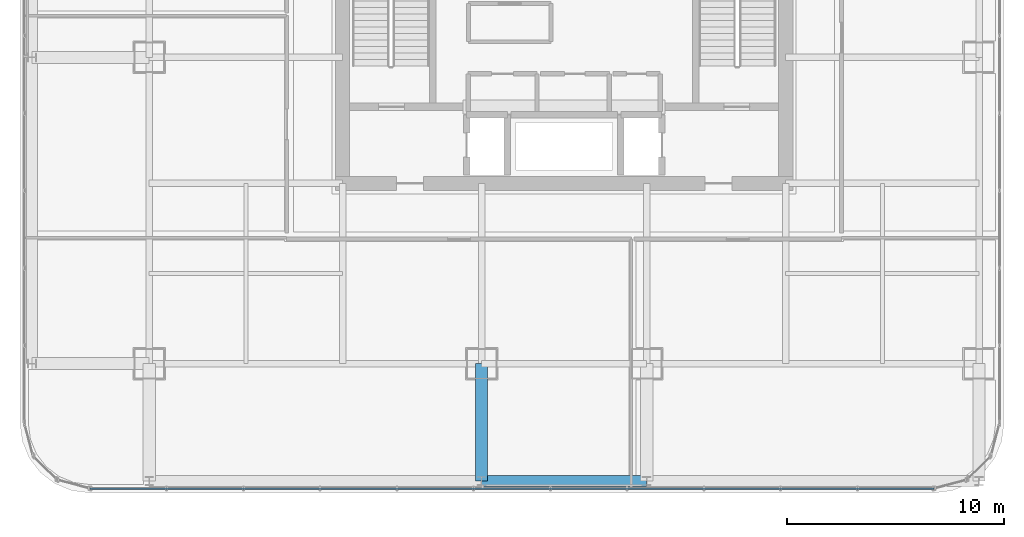
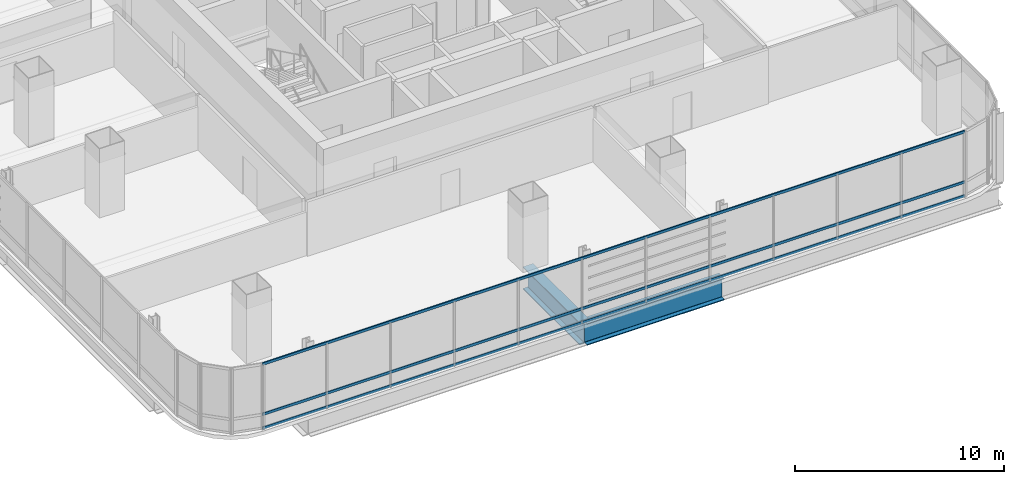
# One storey, part 7 of 36: 3 members, 2 beams, 1 element without a shape of its own.
"""IFC4 building model written with IfcOpenShell, lengths in metres."""

from ifc_helpers import new_model, si_unit, direction, frame, origin, origin_2d, place, context, subcontext, project, spatial, hollow_rectangle, i_section, extrude, material, material_profile, profile_set, type_object, element, aggregate, save


model = new_model("IFC4")

# Units and contexts
model_context = context("Model", 3, precision=1e-05, world=origin(), true_north=direction((0.0, 1.0)))
body_context = subcontext(model_context, "Body", "Model", "MODEL_VIEW")
ifc_project = project(units=[si_unit("LENGTHUNIT", "METRE"), si_unit("AREAUNIT", "SQUARE_METRE"), si_unit("VOLUMEUNIT", "CUBIC_METRE"), si_unit("PLANEANGLEUNIT", "RADIAN"), si_unit("MASSUNIT", "GRAM", prefix="KILO")], contexts=[model_context])

# Site, building, storey
site_placement = place(None, origin())
site = spatial("IfcSite", under=ifc_project, at=site_placement, CompositionType="ELEMENT")
building_placement = place(site_placement, origin())
building = spatial("IfcBuilding", under=site, at=building_placement, Name="Punatoya Terracotta Tower", CompositionType="ELEMENT")
storey_placement = place(building_placement, frame((0.0, 0.0, 176.25)))
storey = spatial("IfcBuildingStorey", under=building, at=storey_placement, Name="L41", CompositionType="ELEMENT", Elevation=176.25)

# Beams
ifc_material_1 = material(Name="Steel S460", Category="steel")
ifc_material_profile_1 = material_profile(ifc_material_1, i_section(OverallWidth=0.56005859375, OverallDepth=1.320068359375, WebThickness=0.035888671875, FlangeThickness=0.054931640625, FilletRadius=0.01806640625, at=origin_2d()))
ifc_profile_set_1 = profile_set([ifc_material_profile_1], Name="Steel S460")
beam_type_1 = type_object("IfcBeamType", Name="BM-TG-BLK", PredefinedType="BEAM", material=ifc_profile_set_1)
beam_1_placement = place(storey_placement, frame((-3.800048828125, -22.89990234375, -0.8798828125), z_axis=(0.0, 1.0, 0.0), x_axis=(-1.0, 0.0, 0.0)))
element("IfcBeam", 1, at=beam_1_placement, inside=storey, type_object=beam_type_1, Name="BM-L41-CANT-S2", PredefinedType="BEAM", context=body_context, shape_type="SweptSolid", body=[
    extrude(i_section(OverallWidth=0.56005859375, OverallDepth=1.320068359375, WebThickness=0.035888671875, FlangeThickness=0.054931640625, FilletRadius=0.01806640625, at=origin_2d()), origin(), (0.0, 0.0, 1.0), 5.39990234375),
])
ifc_material_profile_2 = material_profile(ifc_material_1, i_section(OverallWidth=0.52001953125, OverallDepth=1.280029296875, WebThickness=0.031982421875, FlangeThickness=0.050048828125, FilletRadius=0.01806640625, at=origin_2d()))
ifc_profile_set_2 = profile_set([ifc_material_profile_2], Name="Steel S460")
beam_type_2 = type_object("IfcBeamType", Name="BM-TG-NCK", PredefinedType="BEAM", material=ifc_profile_set_2)
beam_2_placement = place(storey_placement, frame((-3.800048828125, -22.89990234375, -0.860107421875), z_axis=(1.0, 0.0, 0.0), x_axis=(0.0, 1.0, 0.0)))
element("IfcBeam", 2, at=beam_2_placement, inside=storey, type_object=beam_type_2, Name="BM-L41-PER-S2", PredefinedType="BEAM", context=body_context, shape_type="SweptSolid", body=[
    extrude(i_section(OverallWidth=0.52001953125, OverallDepth=1.280029296875, WebThickness=0.031982421875, FlangeThickness=0.050048828125, FilletRadius=0.01806640625, at=origin_2d()), origin(), (0.0, 0.0, 1.0), 7.60009765625),
])

# Curtain wall, members
ifc_material_2 = material(Name="Aluminium 6063-T6 + Double Low-E Glass", Category="aluminium")
curtain_wall_type = type_object("IfcCurtainWallType", Name="CW-M2", PredefinedType="NOTDEFINED", material=ifc_material_2)
curtain_wall_placement = place(storey_placement, origin())
curtain_wall = element("IfcCurtainWall", 3, at=curtain_wall_placement, inside=storey, type_object=curtain_wall_type, Name="L41 Curtain Wall CW-L41-S01-1", PredefinedType="NOTDEFINED")
ifc_material_3 = material(Name="Aluminium 6063-T6", Category="aluminium")
ifc_material_profile_3 = material_profile(ifc_material_3, hollow_rectangle(XDim=0.068115234375, YDim=0.14990234375, WallThickness=0.00390625, at=origin_2d()))
ifc_profile_set_3 = profile_set([ifc_material_profile_3], Name="Aluminium 6063-T6")
member_type = type_object("IfcMemberType", Name="CW-TRN-TYP", PredefinedType="USERDEFINED", material=ifc_profile_set_3)
member_1_placement = place(storey_placement, frame((-21.8369140625, -23.25, 0.0400390625), z_axis=(1.0, 0.0, 0.0), x_axis=(0.0, 1.0, 0.0)))
member_1 = element("IfcMember", 4, at=member_1_placement, type_object=member_type, Name="CW-L41-S01-1 Transom 1", ObjectType="TRANSOM", PredefinedType="USERDEFINED", context=body_context, shape_type="SweptSolid", body=[
    extrude(hollow_rectangle(XDim=0.068115234375, YDim=0.14990234375, WallThickness=0.00390625, at=origin_2d()), origin(), (0.0, 0.0, 1.0), 38.873779296875),
])
member_2_placement = place(storey_placement, frame((-21.8369140625, -23.25, 0.85009765625), z_axis=(1.0, 0.0, 0.0), x_axis=(0.0, 1.0, 0.0)))
member_2 = element("IfcMember", 5, at=member_2_placement, type_object=member_type, Name="CW-L41-S01-1 Transom 2", ObjectType="TRANSOM", PredefinedType="USERDEFINED", context=body_context, shape_type="SweptSolid", body=[
    extrude(hollow_rectangle(XDim=0.068115234375, YDim=0.14990234375, WallThickness=0.00390625, at=origin_2d()), origin(), (0.0, 0.0, 1.0), 38.873779296875),
])
member_3_placement = place(storey_placement, frame((-21.8369140625, -23.25, 3.7900390625), z_axis=(1.0, 0.0, 0.0), x_axis=(0.0, 1.0, 0.0)))
member_3 = element("IfcMember", 6, at=member_3_placement, type_object=member_type, Name="CW-L41-S01-1 Transom 3", ObjectType="TRANSOM", PredefinedType="USERDEFINED", context=body_context, shape_type="SweptSolid", body=[
    extrude(hollow_rectangle(XDim=0.068115234375, YDim=0.14990234375, WallThickness=0.00390625, at=origin_2d()), origin(), (0.0, 0.0, 1.0), 38.873779296875),
])
aggregate(curtain_wall, [member_1, member_2, member_3])

save(model, "model.ifc")
